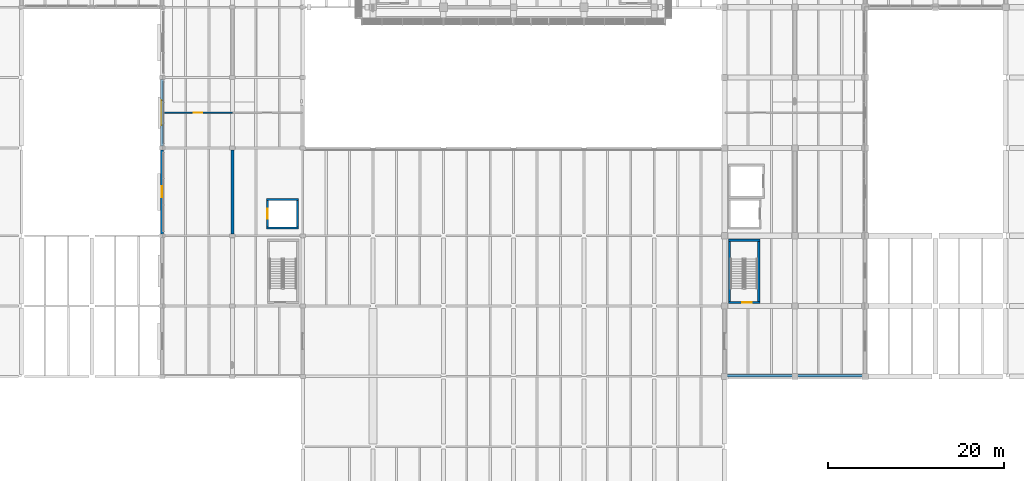
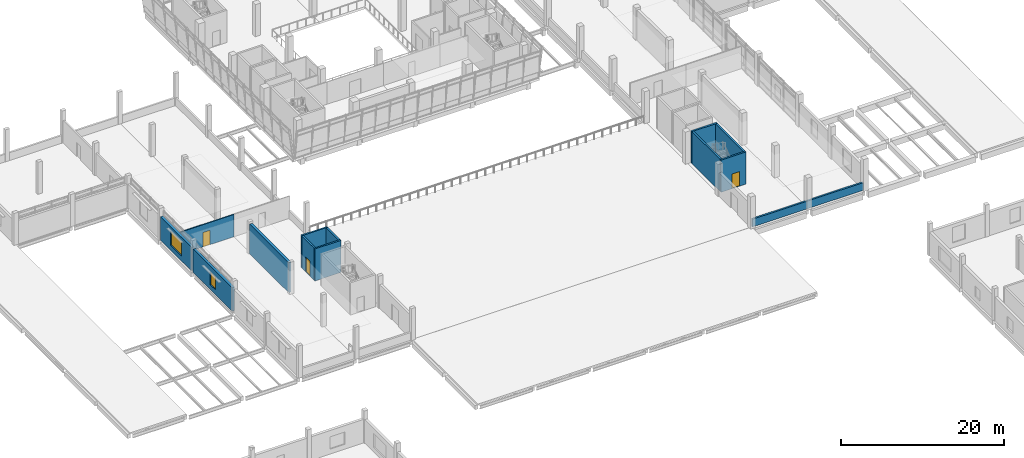
# One storey, part 30 of 52: 13 walls, 3 doors, 2 windows, 5 openings.
"""IFC4 building model written with IfcOpenShell, lengths in metres."""

from ifc_helpers import new_model, si_unit, direction, frame, frame_2d, origin, place, context, subcontext, project, spatial, rectangle, extrude, material, layer, layer_set, type_object, element, fill, save


model = new_model("IFC4")

# Units and contexts
model_context = context("Model", 3, precision=1e-05, world=origin(), true_north=direction((0.0, 1.0)))
body_context = subcontext(model_context, "Body", "Model", "MODEL_VIEW")
ifc_project = project(units=[si_unit("LENGTHUNIT", "METRE"), si_unit("AREAUNIT", "SQUARE_METRE"), si_unit("VOLUMEUNIT", "CUBIC_METRE"), si_unit("PLANEANGLEUNIT", "RADIAN"), si_unit("MASSUNIT", "GRAM", prefix="KILO")], contexts=[model_context])

# Site, building, storey
site_placement = place(None, origin())
site = spatial("IfcSite", under=ifc_project, at=site_placement, CompositionType="ELEMENT")
building_placement = place(site_placement, origin())
building = spatial("IfcBuilding", under=site, at=building_placement, Name="Pecanmere Concourse Central Library", CompositionType="ELEMENT")
storey_placement = place(building_placement, frame((0.0, 0.0, 10.5)))
storey = spatial("IfcBuildingStorey", under=building, at=storey_placement, Name="L03", CompositionType="ELEMENT", Elevation=10.5)

# Wall, opening, window
ifc_material_1 = material(Name="Texas cream limestone ashlar masonry", Category="masonry")
ifc_layer_1 = layer(ifc_material_1, 0.35009765625, Name="EW_LIME_350")
ifc_layer_set_1 = layer_set([ifc_layer_1], Name="Texas cream limestone ashlar masonry")
wall_type_1 = type_object("IfcWallType", Name="EW_LIME_350", PredefinedType="STANDARD", material=ifc_layer_set_1)
wall_1_placement = place(storey_placement, frame((48.0, 73.784912109375, 0.0), z_axis=(0.0, 0.0, 1.0), x_axis=(0.0, -1.0, 0.0)))
wall_1 = element("IfcWall", 1, at=wall_1_placement, inside=storey, type_object=wall_type_1, Name="Limestone Facade Wall L03-0162", PredefinedType="STANDARD", context=body_context, shape_type="SweptSolid", body=[
    extrude(rectangle(XDim=9.56982421875, YDim=0.35009765625, at=frame_2d((4.784912109375, 0.0))), origin(), (0.0, 0.0, 1.0), 3.52001953125),
])
opening_1_placement = place(wall_1_placement, frame((4.159912109375, 0.0, 0.719970703125)))
opening_1 = element("IfcOpeningElement", 2, at=opening_1_placement, cuts=wall_1, Name="Opening WN-12", PredefinedType="OPENING", context=body_context, shape_type="SweptSolid", body=[
    extrude(rectangle(XDim=1.25, YDim=1.89990234375, at=frame_2d((0.625, 0.949951171875))), frame((0.0, 0.18701171875, 0.0), z_axis=(0.0, -1.0, 0.0), x_axis=(1.0, 0.0, 0.0)), (0.0, 0.0, 1.0), 0.3740234375),
])
ifc_material_2 = material(Name="Low-iron clear insulated glazing", Category="glass")
window_type_1 = type_object("IfcWindowType", Name="WIN_1250x1900", PartitioningType="SINGLE_PANEL", PredefinedType="WINDOW", material=ifc_material_2)
window_1_placement = place(opening_1_placement, origin())
window_1 = element("IfcWindow", 3, at=window_1_placement, inside=storey, type_object=window_type_1, Name="WN-138", OverallHeight=1.89990234375, OverallWidth=1.25, PartitioningType="SINGLE_PANEL", PredefinedType="WINDOW", context=body_context, shape_type="SweptSolid", body=[
    extrude(rectangle(XDim=1.25, YDim=1.89990234375, at=frame_2d((0.625, 0.949951171875))), frame((0.0, 0.030029296875, 0.0), z_axis=(0.0, -1.0, 0.0), x_axis=(1.0, 0.0, 0.0)), (0.0, 0.0, 1.0), 0.06005859375),
])
fill(opening_1, window_1)

wall_2_placement = place(storey_placement, frame((48.0, 81.784912109375, 0.0), z_axis=(0.0, 0.0, 1.0), x_axis=(0.0, -1.0, 0.0)))
wall_2 = element("IfcWall", 4, at=wall_2_placement, inside=storey, type_object=wall_type_1, Name="Limestone Facade Wall L03-0164", PredefinedType="STANDARD", context=body_context, shape_type="SweptSolid", body=[
    extrude(rectangle(XDim=7.56982421875, YDim=0.35009765625, at=frame_2d((3.784912109375, 0.0))), origin(), (0.0, 0.0, 1.0), 3.52001953125),
])
opening_2_placement = place(wall_2_placement, frame((2.385009765625, 0.0, 0.719970703125)))
opening_2 = element("IfcOpeningElement", 5, at=opening_2_placement, cuts=wall_2, Name="Opening WN-16", PredefinedType="OPENING", context=body_context, shape_type="SweptSolid", body=[
    extrude(rectangle(XDim=2.800048828125, YDim=2.199951171875, at=frame_2d((1.39990234375, 1.10009765625))), frame((0.0, 0.18701171875, 0.0), z_axis=(0.0, -1.0, 0.0), x_axis=(1.0, 0.0, 0.0)), (0.0, 0.0, 1.0), 0.3740234375),
])
ifc_material_3 = material(Name="Low-iron clear insulated glazing", Category="glass")
window_type_2 = type_object("IfcWindowType", Name="WIN_2800x2200", PartitioningType="SINGLE_PANEL", PredefinedType="WINDOW", material=ifc_material_3)
window_2_placement = place(opening_2_placement, origin())
window_2 = element("IfcWindow", 6, at=window_2_placement, inside=storey, type_object=window_type_2, Name="WN-140", OverallHeight=2.199951171875, OverallWidth=2.800048828125, PartitioningType="SINGLE_PANEL", PredefinedType="WINDOW", context=body_context, shape_type="SweptSolid", body=[
    extrude(rectangle(XDim=2.800048828125, YDim=2.199951171875, at=frame_2d((1.39990234375, 1.10009765625))), frame((0.0, 0.030029296875, 0.0), z_axis=(0.0, -1.0, 0.0), x_axis=(1.0, 0.0, 0.0)), (0.0, 0.0, 1.0), 0.06005859375),
])
fill(opening_2, window_2)

# Wall, opening, door
ifc_material_4 = material(Name="Fire-rated gypsum board on acoustic steel stud", Category="steel")
ifc_layer_2 = layer(ifc_material_4, 0.135009765625, Name="IW_PART_135")
ifc_layer_set_2 = layer_set([ifc_layer_2], Name="Fire-rated gypsum board on acoustic steel stud")
wall_type_2 = type_object("IfcWallType", Name="IW_PART_135", PredefinedType="PARTITIONING", material=ifc_layer_set_2)
wall_3_placement = place(storey_placement, frame((48.18505859375, 78.0, 0.0), z_axis=(0.0, 0.0, 1.0), x_axis=(1.0, 0.0, 0.0)))
wall_3 = element("IfcWall", 7, at=wall_3_placement, inside=storey, type_object=wall_type_2, Name="Interior Partition L03-0178", PredefinedType="PARTITIONING", context=body_context, shape_type="SweptSolid", body=[
    extrude(rectangle(XDim=7.81494140625, YDim=0.135009765625, at=frame_2d((3.907470703125, 0.0))), origin(), (0.0, 0.0, 1.0), 3.330078125),
])
opening_3_placement = place(wall_3_placement, frame((3.407470703125, 0.0, 0.0)))
opening_3 = element("IfcOpeningElement", 8, at=opening_3_placement, cuts=wall_3, Name="Opening DT-04", PredefinedType="OPENING", context=body_context, shape_type="SweptSolid", body=[
    extrude(rectangle(XDim=1.0, YDim=2.14990234375, at=frame_2d((0.5, 1.074951171875))), frame((0.0, 0.07958984375, 0.0), z_axis=(0.0, -1.0, 0.0), x_axis=(1.0, 0.0, 0.0)), (0.0, 0.0, 1.0), 0.158935546875),
])
ifc_material_5 = material(Name="Solid white oak architectural joinery")
door_type_1 = type_object("IfcDoorType", Name="DT-04", OperationType="SINGLE_SWING_RIGHT", PredefinedType="DOOR", material=ifc_material_5)
door_1_placement = place(opening_3_placement, origin())
door_1 = element("IfcDoor", 9, at=door_1_placement, inside=storey, type_object=door_type_1, Name="D-208", OperationType="SINGLE_SWING_RIGHT", OverallHeight=2.14990234375, OverallWidth=1.0, PredefinedType="DOOR", context=body_context, shape_type="SweptSolid", body=[
    extrude(rectangle(XDim=1.0, YDim=2.14990234375, at=frame_2d((0.5, 1.074951171875))), frame((0.0, 0.02490234375, 0.0), z_axis=(0.0, -1.0, 0.0), x_axis=(1.0, 0.0, 0.0)), (0.0, 0.0, 1.0), 0.050048828125),
])
fill(opening_3, door_1)

# Walls
ifc_material_6 = material(Name="Texas cream limestone ashlar masonry", Category="masonry")
ifc_layer_3 = layer(ifc_material_6, 0.25, Name="PW_PARA_250")
ifc_layer_set_3 = layer_set([ifc_layer_3], Name="Texas cream limestone ashlar masonry")
wall_type_3 = type_object("IfcWallType", Name="PW_PARA_250", PredefinedType="PARAPET", material=ifc_layer_set_3)
wall_4_placement = place(storey_placement, frame((127.800048828125, 48.0703125, 0.0), z_axis=(0.0, 0.0, 1.0), x_axis=(-0.999999999879, -1.5530603e-05, 0.0)))
element("IfcWall", 10, at=wall_4_placement, inside=storey, type_object=wall_type_3, Name="Step-Back Parapet Wall L03-127", PredefinedType="PARAPET", context=body_context, shape_type="SweptSolid", body=[
    extrude(rectangle(XDim=15.719970703125, YDim=0.25, at=frame_2d((7.85986328125, 0.0))), origin(), (0.0, 0.0, 1.0), 1.14990234375),
])
ifc_material_7 = material(Name="Concrete C40/50", Category="concrete")
ifc_layer_4 = layer(ifc_material_7, 0.35009765625, Name="WALL_SHR_350")
ifc_layer_set_4 = layer_set([ifc_layer_4], Name="Concrete C40/50")
wall_type_4 = type_object("IfcWallType", Name="WALL_SHR_350", PredefinedType="SHEAR", material=ifc_layer_set_4)
wall_5_placement = place(storey_placement, frame((56.0, 64.219970703125, 0.0), z_axis=(0.0, 0.0, 1.0), x_axis=(0.0, 1.0, 0.0)))
element("IfcWall", 11, at=wall_5_placement, inside=storey, type_object=wall_type_4, Name="Lateral Shear Wall L03-016", PredefinedType="SHEAR", context=body_context, shape_type="SweptSolid", body=[
    extrude(rectangle(XDim=9.56005859375, YDim=0.35009765625, at=frame_2d((4.780029296875, 0.0))), origin(), (0.0, 0.0, 1.0), 4.47998046875),
])
ifc_material_8 = material(Name="Concrete C40/50", Category="concrete")
ifc_layer_5 = layer(ifc_material_8, 0.239990234375, Name="WALL_SLD_240")
ifc_layer_set_5 = layer_set([ifc_layer_5], Name="Concrete C40/50")
wall_type_5 = type_object("IfcWallType", Name="WALL_SLD_240", PredefinedType="SOLIDWALL", material=ifc_layer_set_5)
for number, where, z_axis, x_axis, name in (
    (12, (59.860107421875, 64.8798828125, 0.0), (0.0, 0.0, 1.0), (1.0, 0.0, 0.0), "Hoistway Wall LP-04 L03-S"),
    (13, (59.860107421875, 68.1201171875, 0.0), (0.0, 0.0, 1.0), (1.0, 0.0, 0.0), "Hoistway Wall LP-04 L03-N"),
):
    element("IfcWall", number, at=place(storey_placement, frame(where, z_axis=z_axis, x_axis=x_axis)), inside=storey, type_object=wall_type_5, Name=name, PredefinedType="SOLIDWALL", context=body_context, shape_type="SweptSolid", body=[
        extrude(rectangle(XDim=3.679931640625, YDim=0.239990234375, at=frame_2d((1.83984375, 0.0))), origin(), (0.0, 0.0, 1.0), 4.800048828125),
    ])

# Wall, opening, door
wall_6_placement = place(storey_placement, frame((59.97998046875, 65.0, 0.0), z_axis=(0.0, 0.0, 1.0), x_axis=(0.0, 1.0, 0.0)))
wall_6 = element("IfcWall", 14, at=wall_6_placement, inside=storey, type_object=wall_type_5, Name="Hoistway Wall LP-04 L03-W", PredefinedType="SOLIDWALL", context=body_context, shape_type="SweptSolid", body=[
    extrude(rectangle(XDim=3.0, YDim=0.239990234375, at=frame_2d((1.5, 0.0))), origin(), (0.0, 0.0, 1.0), 4.800048828125),
])
opening_4_placement = place(wall_6_placement, frame((0.949951171875, 0.0, 0.0)))
opening_4 = element("IfcOpeningElement", 15, at=opening_4_placement, cuts=wall_6, Name="Opening LD-01", PredefinedType="OPENING", context=body_context, shape_type="SweptSolid", body=[
    extrude(rectangle(XDim=1.10009765625, YDim=2.199951171875, at=frame_2d((0.550048828125, 1.10009765625))), frame((0.0, 0.1318359375, 0.0), z_axis=(0.0, -1.0, 0.0), x_axis=(1.0, 0.0, 0.0)), (0.0, 0.0, 1.0), 0.263916015625),
])
ifc_material_9 = material(Name="Brushed stainless steel Grade 316", Category="steel")
door_type_2 = type_object("IfcDoorType", Name="LD-01", OperationType="DOUBLE_DOOR_SLIDING", PredefinedType="DOOR", material=ifc_material_9)
door_2_placement = place(opening_4_placement, origin())
door_2 = element("IfcDoor", 16, at=door_2_placement, inside=storey, type_object=door_type_2, Name="LD-LP-04-L03", OperationType="DOUBLE_DOOR_SLIDING", OverallHeight=2.199951171875, OverallWidth=1.10009765625, PredefinedType="DOOR", context=body_context, shape_type="SweptSolid", body=[
    extrude(rectangle(XDim=1.10009765625, YDim=2.199951171875, at=frame_2d((0.550048828125, 1.10009765625))), frame((0.0, 0.02490234375, 0.0), z_axis=(0.0, -1.0, 0.0), x_axis=(1.0, 0.0, 0.0)), (0.0, 0.0, 1.0), 0.050048828125),
])
fill(opening_4, door_2)

# Wall
wall_7_placement = place(storey_placement, frame((63.419921875, 65.0, 0.0), z_axis=(0.0, 0.0, 1.0), x_axis=(0.0, 1.0, 0.0)))
element("IfcWall", 17, at=wall_7_placement, inside=storey, type_object=wall_type_5, Name="Hoistway Wall LP-04 L03-E", PredefinedType="SOLIDWALL", context=body_context, shape_type="SweptSolid", body=[
    extrude(rectangle(XDim=3.0, YDim=0.239990234375, at=frame_2d((1.5, 0.0))), origin(), (0.0, 0.0, 1.0), 4.800048828125),
])

# Wall, opening, door
ifc_material_10 = material(Name="Concrete C40/50", Category="concrete")
ifc_layer_6 = layer(ifc_material_10, 0.260009765625, Name="WALL_SLD_260")
ifc_layer_set_6 = layer_set([ifc_layer_6], Name="Concrete C40/50")
wall_type_6 = type_object("IfcWallType", Name="WALL_SLD_260", PredefinedType="SOLIDWALL", material=ifc_layer_set_6)
wall_8_placement = place(storey_placement, frame((112.43994140625, 56.419921875, 0.0), z_axis=(0.0, 0.0, 1.0), x_axis=(1.0, 0.0, 0.0)))
wall_8 = element("IfcWall", 18, at=wall_8_placement, inside=storey, type_object=wall_type_6, Name="Core C5 South Wall L03", PredefinedType="SOLIDWALL", context=body_context, shape_type="SweptSolid", body=[
    extrude(rectangle(XDim=3.580078125, YDim=0.260009765625, at=frame_2d((1.7900390625, 0.0))), origin(), (0.0, 0.0, 1.0), 4.800048828125),
])
opening_5_placement = place(wall_8_placement, frame((1.56005859375, 0.0, 0.0)))
opening_5 = element("IfcOpeningElement", 19, at=opening_5_placement, cuts=wall_8, Name="Opening FD-01", PredefinedType="OPENING", context=body_context, shape_type="SweptSolid", body=[
    extrude(rectangle(XDim=1.10009765625, YDim=2.199951171875, at=frame_2d((0.550048828125, 1.10009765625))), frame((0.0, 0.14208984375, 0.0), z_axis=(0.0, -1.0, 0.0), x_axis=(1.0, 0.0, 0.0)), (0.0, 0.0, 1.0), 0.283935546875),
])
ifc_material_11 = material(Name="Painted architectural steel ASTM A36", Category="steel")
door_type_3 = type_object("IfcDoorType", Name="FD-01", OperationType="SINGLE_SWING_LEFT", PredefinedType="DOOR", material=ifc_material_11)
door_3_placement = place(opening_5_placement, origin())
door_3 = element("IfcDoor", 20, at=door_3_placement, inside=storey, type_object=door_type_3, Name="D-036", OperationType="SINGLE_SWING_LEFT", OverallHeight=2.199951171875, OverallWidth=1.10009765625, PredefinedType="DOOR", context=body_context, shape_type="SweptSolid", body=[
    extrude(rectangle(XDim=1.10009765625, YDim=2.199951171875, at=frame_2d((0.550048828125, 1.10009765625))), frame((0.0, 0.02490234375, 0.0), z_axis=(0.0, -1.0, 0.0), x_axis=(1.0, 0.0, 0.0)), (0.0, 0.0, 1.0), 0.050048828125),
])
fill(opening_5, door_3)

# Walls
wall_9_placement = place(storey_placement, frame((112.43994140625, 63.5, 0.0), z_axis=(0.0, 0.0, 1.0), x_axis=(1.0, 0.0, 0.0)))
element("IfcWall", 21, at=wall_9_placement, inside=storey, type_object=wall_type_6, Name="Core C5 North Wall L03", PredefinedType="SOLIDWALL", context=body_context, shape_type="SweptSolid", body=[
    extrude(rectangle(XDim=3.580078125, YDim=0.260009765625, at=frame_2d((1.7900390625, 0.0))), origin(), (0.0, 0.0, 1.0), 4.800048828125),
])
for number, where, z_axis, x_axis, name in (
    (22, (112.570068359375, 56.550048828125, 0.0), (0.0, 0.0, 1.0), (0.0, 1.0, 0.0), "Core C5 W Wall L03"),
    (23, (115.889892578125, 56.550048828125, 0.0), (0.0, 0.0, 1.0), (0.0, 1.0, 0.0), "Core C5 E Wall L03"),
):
    element("IfcWall", number, at=place(storey_placement, frame(where, z_axis=z_axis, x_axis=x_axis)), inside=storey, type_object=wall_type_6, Name=name, PredefinedType="SOLIDWALL", context=body_context, shape_type="SweptSolid", body=[
        extrude(rectangle(XDim=6.820068359375, YDim=0.260009765625, at=frame_2d((3.41015625, 0.0))), origin(), (0.0, 0.0, 1.0), 4.800048828125),
    ])

save(model, "model.ifc")
